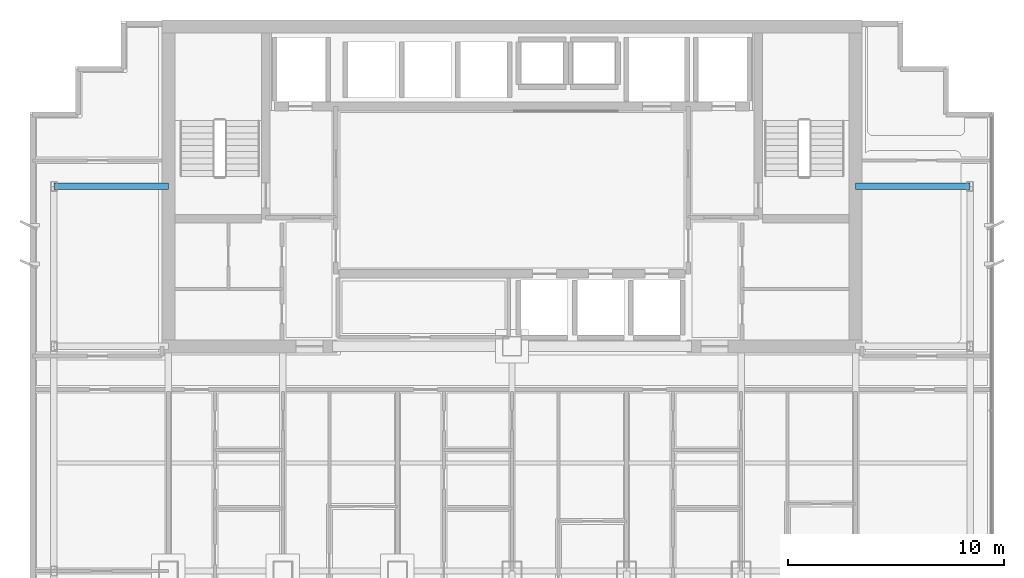
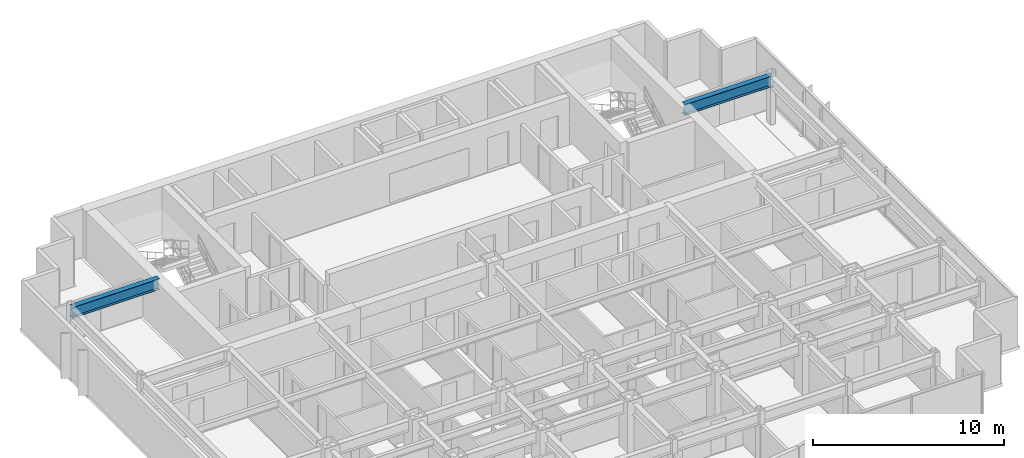
# One storey, part 5 of 13: 2 beams.
"""IFC4 building model written with IfcOpenShell, lengths in metres."""

from ifc_helpers import new_model, si_unit, direction, frame, origin, origin_2d, place, context, subcontext, project, spatial, i_section, extrude, material, material_profile, profile_set, type_object, element, save


model = new_model("IFC4")

# Units and contexts
model_context = context("Model", 3, precision=1e-05, world=origin(), true_north=direction((0.0, 1.0)))
body_context = subcontext(model_context, "Body", "Model", "MODEL_VIEW")
ifc_project = project(units=[si_unit("LENGTHUNIT", "METRE"), si_unit("AREAUNIT", "SQUARE_METRE"), si_unit("VOLUMEUNIT", "CUBIC_METRE"), si_unit("PLANEANGLEUNIT", "RADIAN"), si_unit("MASSUNIT", "GRAM", prefix="KILO")], contexts=[model_context])

# Site, building, storey
site_placement = place(None, origin())
site = spatial("IfcSite", under=ifc_project, at=site_placement, CompositionType="ELEMENT")
building_placement = place(site_placement, origin())
building = spatial("IfcBuilding", under=site, at=building_placement, Name="Qianlan Lanfeng Residences", CompositionType="ELEMENT")
storey_placement = place(building_placement, frame((0.0, 0.0, 162.300048828125)))
storey = spatial("IfcBuildingStorey", under=building, at=storey_placement, Name="L44", CompositionType="ELEMENT", Elevation=162.300048828125)

# Beams
ifc_material = material(Name="Steel SN490B", Category="steel")
ifc_material_profile = material_profile(ifc_material, i_section(OverallWidth=0.300048828125, OverallDepth=0.699951171875, WebThickness=0.012939453125, FlangeThickness=0.02392578125, at=origin_2d()), Name="H 700x300x13x24")
ifc_profile_set = profile_set([ifc_material_profile], Name="Steel SN490B")
beam_type = type_object("IfcBeamType", Name="G-750", PredefinedType="BEAM", material=ifc_profile_set)
for number, where, z_axis, x_axis, name in (
    (1, (5.300048828125, 32.60009765625, 2.75), (1.0, 0.0, 0.0), (0.0, 1.0, 0.0), "Structural beam G-750"),
    (2, (42.39990234375, 32.60009765625, 2.75), (1.0, 0.0, 0.0), (0.0, 1.0, 0.0), "Structural beam G-750"),
):
    element("IfcBeam", number, at=place(storey_placement, frame(where, z_axis=z_axis, x_axis=x_axis)), inside=storey, type_object=beam_type, Name=name, PredefinedType="BEAM", context=body_context, shape_type="SweptSolid", body=[
        extrude(i_section(OverallWidth=0.300048828125, OverallDepth=0.699951171875, WebThickness=0.012939453125, FlangeThickness=0.02392578125, at=origin_2d()), origin(), (0.0, 0.0, 1.0), 5.300048828125),
    ])

save(model, "model.ifc")
